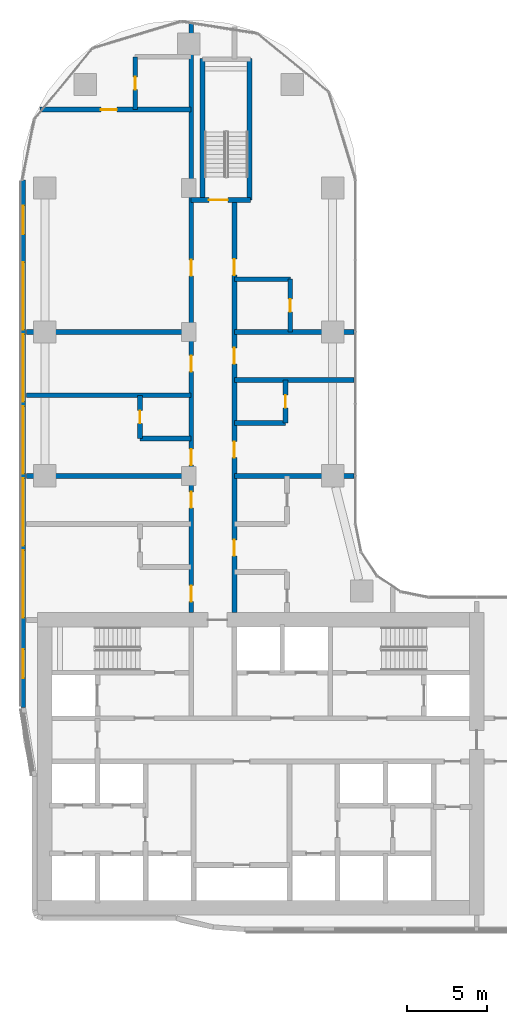
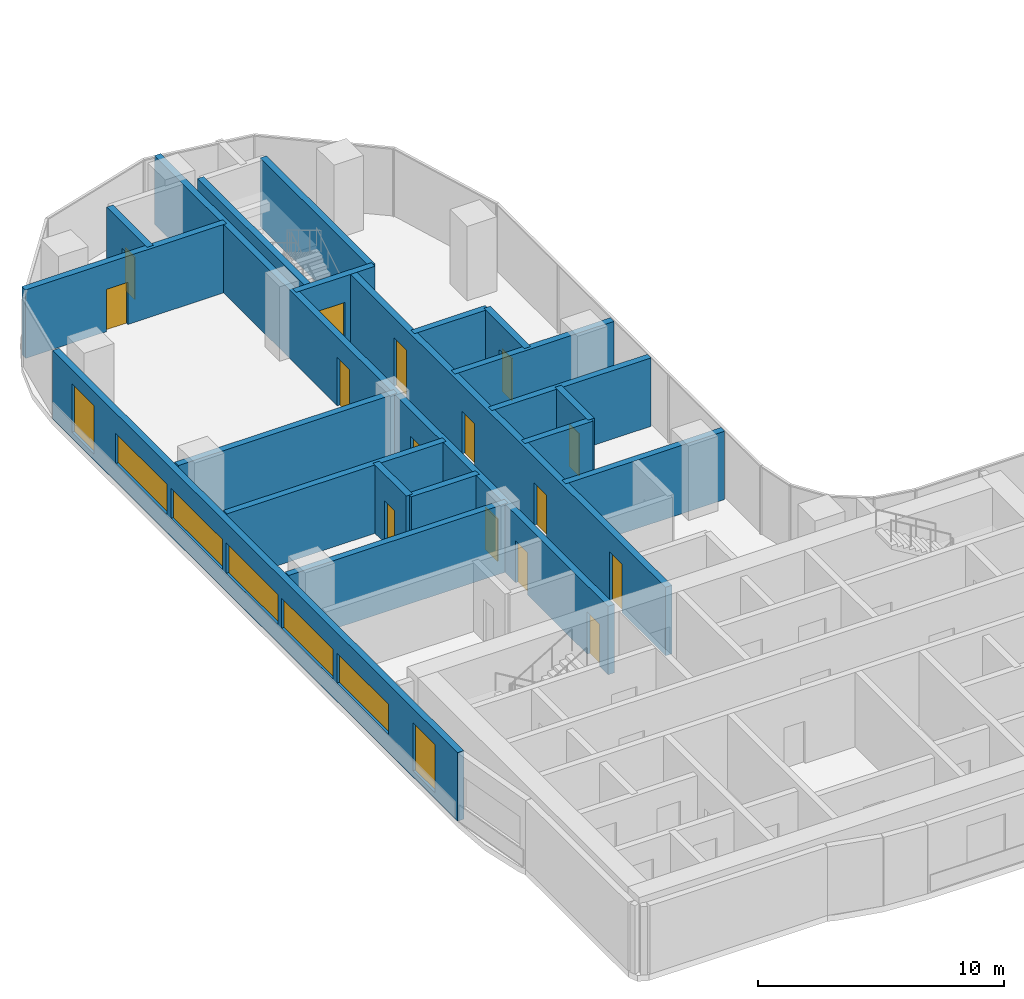
# One storey, part 20 of 33: 20 walls, 15 doors, 7 windows, 22 openings.
"""IFC4 building model written with IfcOpenShell, lengths in metres."""

import ifcopenshell
import ifcopenshell.guid

model = None  # the IFC model being written
_history = None  # IfcOwnerHistory: only IFC2X3 demands one
_inside = {}  # id of a spatial element -> (the spatial element, [elements in it])
_under = {}  # id of a project, library or spatial element -> (it, [spatial elements below it])
_declared = {}  # id of a project -> (the project, [libraries it declares])
_typed = {}  # id of a type object -> (the type object, [elements of that type])
_made_of = {}  # id of a material, layer set ... -> (it, [elements and type objects made of it])


def new_model(schema):
    """Start an empty IFC model of exactly this schema.

    Asked for "IFC4X3", IfcOpenShell would pick the latest addendum, in which some entities
    have other attributes; the version numbers below select the first issue.
    IFC2X3 requires an IfcOwnerHistory on every rooted entity: one is made here for all.
    """
    global model, _history
    if schema == "IFC4X3":
        model = ifcopenshell.file(schema_version=(4, 3, 0, 0))
    else:
        model = ifcopenshell.file(schema=schema)
    _inside.clear()
    _under.clear()
    _declared.clear()
    _typed.clear()
    _made_of.clear()
    _history = None
    if model.schema == "IFC2X3":
        org = make("IfcOrganization", Name="unknown")
        user = make(
            "IfcPersonAndOrganization",
            ThePerson=make("IfcPerson", FamilyName="unknown"),
            TheOrganization=org,
        )
        app = make(
            "IfcApplication",
            ApplicationDeveloper=org,
            Version="unknown",
            ApplicationFullName="unknown",
            ApplicationIdentifier="unknown",
        )
        _history = make(
            "IfcOwnerHistory",
            OwningUser=user,
            OwningApplication=app,
            ChangeAction="ADDED",
            CreationDate=0,
        )
    return model


def make(cls, **values):
    """One entity of the class cls with the attributes given. An attribute that is None is left unset."""
    return model.create_entity(
        cls, **{name: value for name, value in values.items() if value is not None}
    )


def rooted(cls, **values):
    """An entity with a GlobalId (a new one), such as an element, a storey or a relation."""
    return make(cls, GlobalId=ifcopenshell.guid.new(), OwnerHistory=_history, **values)


def si_unit(unit_type, name, prefix=None):
    """IfcSIUnit, for example si_unit("LENGTHUNIT", "METRE", prefix="MILLI")."""
    return make("IfcSIUnit", UnitType=unit_type, Prefix=prefix, Name=name)


def assignment(units):
    """IfcUnitAssignment: the units of a project."""
    return None if units is None else make("IfcUnitAssignment", Units=units)


def point(xyz):
    """IfcCartesianPoint."""
    return None if xyz is None else make("IfcCartesianPoint", Coordinates=xyz)


def direction(xyz):
    """IfcDirection."""
    return None if xyz is None else make("IfcDirection", DirectionRatios=xyz)


def frame(location, z_axis=None, x_axis=None):
    """IfcAxis2Placement3D, a coordinate frame: its origin and axes. An axis left out is left unset."""
    return make(
        "IfcAxis2Placement3D",
        Location=point(location),
        Axis=direction(z_axis),
        RefDirection=direction(x_axis),
    )


def frame_2d(location, x_axis=None):
    """IfcAxis2Placement2D, a coordinate frame in the plane: its origin and x axis."""
    return make(
        "IfcAxis2Placement2D", Location=point(location), RefDirection=direction(x_axis)
    )


def origin():
    """The frame at (0, 0, 0) with its axes left unset."""
    return frame((0.0, 0.0, 0.0))


def place(relative_to, where):
    """IfcLocalPlacement: puts the frame where relative to a parent placement (None: the world)."""
    return make(
        "IfcLocalPlacement", PlacementRelTo=relative_to, RelativePlacement=where
    )


def context(
    kind, dimensions, precision=None, world=None, true_north=None, identifier=None
):
    """IfcGeometricRepresentationContext, for example the 3D "Model" context."""
    return make(
        "IfcGeometricRepresentationContext",
        ContextIdentifier=identifier,
        ContextType=kind,
        CoordinateSpaceDimension=dimensions,
        Precision=precision,
        WorldCoordinateSystem=world,
        TrueNorth=true_north,
    )


def subcontext(parent, identifier, kind, view, scale=None):
    """IfcGeometricRepresentationSubContext, for example "Body" below "Model"."""
    return make(
        "IfcGeometricRepresentationSubContext",
        ContextIdentifier=identifier,
        ContextType=kind,
        ParentContext=parent,
        TargetScale=scale,
        TargetView=view,
    )


def project(units=None, contexts=None):
    """IfcProject with its units and contexts."""
    return rooted(
        "IfcProject",
        Name="project",
        RepresentationContexts=contexts,
        UnitsInContext=assignment(units),
    )


def spatial(cls, under=None, at=None, **own):
    """A site, building, storey or space (cls), placed at a placement, below another one or the project."""
    s = rooted(cls, ObjectPlacement=at, **own)
    if under is not None:
        _under.setdefault(under.id(), (under, []))[1].append(s)
    return s


def profile(cls, at=None, kind="AREA", **sizes):
    """A parametric profile (cls). Its sizes go by their IFC names, for example OverallWidth=200.0."""
    return make(cls, ProfileType=kind, Position=at, **sizes)


def rectangle(**sizes):
    """IfcRectangleProfileDef."""
    return profile("IfcRectangleProfileDef", **sizes)


def extrude(swept, where, along, depth):
    """IfcExtrudedAreaSolid: the profile swept, set in the frame where, extruded along a direction by depth."""
    return make(
        "IfcExtrudedAreaSolid",
        SweptArea=swept,
        Position=where,
        ExtrudedDirection=direction(along),
        Depth=depth,
    )


def shape(context_of_items, identifier, shape_type, items):
    """IfcShapeRepresentation: the items that make up one representation, for example the "Body"."""
    return make(
        "IfcShapeRepresentation",
        ContextOfItems=context_of_items,
        RepresentationIdentifier=identifier,
        RepresentationType=shape_type,
        Items=items,
    )


def material(Name=None, Category=None):
    """IfcMaterial."""
    return make("IfcMaterial", Name=Name, Category=Category)


def layer(
    of_material, thickness, ventilated=None, Name=None, Category=None, Priority=None
):
    """IfcMaterialLayer: one layer of a wall or slab, of a material (None: an air gap)."""
    return make(
        "IfcMaterialLayer",
        Material=of_material,
        LayerThickness=thickness,
        IsVentilated=ventilated,
        Name=Name,
        Category=Category,
        Priority=Priority,
    )


def layer_set(layers, Name=None):
    """IfcMaterialLayerSet."""
    return make("IfcMaterialLayerSet", MaterialLayers=layers, LayerSetName=Name)


def made_of(thing, what):
    """Note that an element or type object is made of a material, layer set ...; save() writes the relation."""
    if what is not None:
        _made_of.setdefault(what.id(), (what, []))[1].append(thing)
    return thing


def type_object(cls, material=None, **own):
    """A type object (cls), such as IfcWallType, which elements share."""
    return made_of(rooted(cls, **own), material)


def element(
    cls,
    number,
    at=None,
    inside=None,
    cuts=None,
    type_object=None,
    material=None,
    context=None,
    identifier="Body",
    shape_type=None,
    held_by="IfcProductDefinitionShape",
    body=None,
    shapes=None,
    **own,
):
    """One element of the class cls, such as IfcWall. Its Tag is "e" and its number.

    at: its placement. inside: the storey or other place that contains it. cuts: it is an
    opening in that element (IfcRelVoidsElement). A single representation is given by context,
    identifier, shape_type and body (its items); several are given by shapes. held_by: the class
    of the entity that holds the representations. save() writes the other relations.
    """
    e = rooted(cls, Tag="e%d" % number, ObjectPlacement=at, **own)
    if body is not None:
        shapes = [shape(context, identifier, shape_type, body)]
    if shapes is not None:
        e.Representation = make(held_by, Representations=shapes)
    if inside is not None:
        _inside.setdefault(inside.id(), (inside, []))[1].append(e)
    if cuts is not None:
        rooted(
            "IfcRelVoidsElement", RelatingBuildingElement=cuts, RelatedOpeningElement=e
        )
    if type_object is not None:
        _typed.setdefault(type_object.id(), (type_object, []))[1].append(e)
    return made_of(e, material)


def fill(opening, filler):
    """IfcRelFillsElement: the door or window that sits in an opening."""
    return rooted(
        "IfcRelFillsElement",
        RelatingOpeningElement=opening,
        RelatedBuildingElement=filler,
    )


def aggregate(whole, parts):
    """IfcRelAggregates: a whole, such as a stair, and the parts it consists of."""
    return rooted("IfcRelAggregates", RelatingObject=whole, RelatedObjects=parts)


def save(model, path):
    """Write the relations noted so far, then the file.

    IfcRelAggregates (storeys below a building ...), IfcRelContainedInSpatialStructure (elements
    in a storey), IfcRelDefinesByType, IfcRelAssociatesMaterial and IfcRelDeclares: one each for
    every whole, place, type object, material and project.
    """
    for whole, parts in _under.values():
        aggregate(whole, parts)
    for where, things in _inside.values():
        rooted(
            "IfcRelContainedInSpatialStructure",
            RelatedElements=things,
            RelatingStructure=where,
        )
    for kind, things in _typed.values():
        rooted("IfcRelDefinesByType", RelatedObjects=things, RelatingType=kind)
    for what, things in _made_of.values():
        rooted("IfcRelAssociatesMaterial", RelatedObjects=things, RelatingMaterial=what)
    for by, libraries in _declared.values():
        rooted("IfcRelDeclares", RelatingContext=by, RelatedDefinitions=libraries)
    model.write(path)


model = new_model("IFC4")

# Units and contexts
model_context = context("Model", 3, precision=1e-05, world=origin(), true_north=direction((0.0, 1.0)))
body_context = subcontext(model_context, "Body", "Model", "MODEL_VIEW")
ifc_project = project(units=[si_unit("LENGTHUNIT", "METRE"), si_unit("AREAUNIT", "SQUARE_METRE"), si_unit("VOLUMEUNIT", "CUBIC_METRE"), si_unit("PLANEANGLEUNIT", "RADIAN"), si_unit("MASSUNIT", "GRAM", prefix="KILO")], contexts=[model_context])

# Site, building, storey
site_placement = place(None, origin())
site = spatial("IfcSite", under=ifc_project, at=site_placement, CompositionType="ELEMENT")
building_placement = place(site_placement, origin())
building = spatial("IfcBuilding", under=site, at=building_placement, Name="Ogive Portal Towers", CompositionType="ELEMENT")
storey_placement = place(building_placement, frame((0.0, 0.0, 77.89990234375)))
storey = spatial("IfcBuildingStorey", under=building, at=storey_placement, Name="L18", CompositionType="ELEMENT", Elevation=77.89990234375)

# Wall, openings, windows
ifc_material_1 = material(Name="Limestone cladding on lightweight block wall", Category="masonry")
ifc_layer_1 = layer(ifc_material_1, 0.300048828125)
ifc_layer_set_1 = layer_set([ifc_layer_1], Name="EXTERNAL WALL 300 STONE")
wall_type_1 = type_object("IfcWallType", Name="EXTERNAL WALL 300 STONE", PredefinedType="SOLIDWALL", material=ifc_layer_set_1)
wall_1_placement = place(storey_placement, frame((30.14990234375, 66.9921875, 0.0), z_axis=(0.0, 0.0, 1.0), x_axis=(0.0, -1.0, 0.0)))
wall_1 = element("IfcWall", 1, at=wall_1_placement, inside=storey, type_object=wall_type_1, Name="A:L18:f24:r0:wall", PredefinedType="SOLIDWALL", context=body_context, shape_type="SweptSolid", body=[
    extrude(rectangle(XDim=32.968017578125, YDim=0.300048828125, at=frame_2d((16.48388671875, 0.0))), origin(), (0.0, 0.0, 1.0), 3.400146484375),
])
opening_1_placement = place(wall_1_placement, frame((1.595947265625, 0.0, 0.300048828125)))
opening_1 = element("IfcOpeningElement", 2, at=opening_1_placement, cuts=wall_1, Name="Opening WN10", PredefinedType="OPENING", context=body_context, shape_type="SweptSolid", body=[
    extrude(rectangle(XDim=1.800048828125, YDim=2.39990234375, at=frame_2d((0.89990234375, 1.199951171875))), frame((0.0, 0.16015625, 0.0), z_axis=(0.0, -1.0, 0.0), x_axis=(1.0, 0.0, 0.0)), (0.0, 0.0, 1.0), 0.320068359375),
])
opening_2_placement = place(wall_1_placement, frame((5.14208984375, 0.0, 0.89990234375)))
opening_2 = element("IfcOpeningElement", 3, at=opening_2_placement, cuts=wall_1, Name="Opening WN11", PredefinedType="OPENING", context=body_context, shape_type="SweptSolid", body=[
    extrude(rectangle(XDim=4.199951171875, YDim=1.5, at=frame_2d((2.10009765625, 0.75))), frame((0.0, 0.16015625, 0.0), z_axis=(0.0, -1.0, 0.0), x_axis=(1.0, 0.0, 0.0)), (0.0, 0.0, 1.0), 0.320068359375),
])
opening_3_placement = place(wall_1_placement, frame((9.64208984375, 0.0, 0.89990234375)))
opening_3 = element("IfcOpeningElement", 4, at=opening_3_placement, cuts=wall_1, Name="Opening WN11", PredefinedType="OPENING", context=body_context, shape_type="SweptSolid", body=[
    extrude(rectangle(XDim=4.199951171875, YDim=1.5, at=frame_2d((2.10009765625, 0.75))), frame((0.0, 0.16015625, 0.0), z_axis=(0.0, -1.0, 0.0), x_axis=(1.0, 0.0, 0.0)), (0.0, 0.0, 1.0), 0.320068359375),
])
opening_4_placement = place(wall_1_placement, frame((14.14208984375, 0.0, 0.89990234375)))
opening_4 = element("IfcOpeningElement", 5, at=opening_4_placement, cuts=wall_1, Name="Opening WN11", PredefinedType="OPENING", context=body_context, shape_type="SweptSolid", body=[
    extrude(rectangle(XDim=4.199951171875, YDim=1.5, at=frame_2d((2.10009765625, 0.75))), frame((0.0, 0.16015625, 0.0), z_axis=(0.0, -1.0, 0.0), x_axis=(1.0, 0.0, 0.0)), (0.0, 0.0, 1.0), 0.320068359375),
])
opening_5_placement = place(wall_1_placement, frame((18.64208984375, 0.0, 0.89990234375)))
opening_5 = element("IfcOpeningElement", 6, at=opening_5_placement, cuts=wall_1, Name="Opening WN11", PredefinedType="OPENING", context=body_context, shape_type="SweptSolid", body=[
    extrude(rectangle(XDim=4.199951171875, YDim=1.5, at=frame_2d((2.10009765625, 0.75))), frame((0.0, 0.16015625, 0.0), z_axis=(0.0, -1.0, 0.0), x_axis=(1.0, 0.0, 0.0)), (0.0, 0.0, 1.0), 0.320068359375),
])
opening_6_placement = place(wall_1_placement, frame((23.14208984375, 0.0, 0.89990234375)))
opening_6 = element("IfcOpeningElement", 7, at=opening_6_placement, cuts=wall_1, Name="Opening WN11", PredefinedType="OPENING", context=body_context, shape_type="SweptSolid", body=[
    extrude(rectangle(XDim=4.199951171875, YDim=1.5, at=frame_2d((2.10009765625, 0.75))), frame((0.0, 0.16015625, 0.0), z_axis=(0.0, -1.0, 0.0), x_axis=(1.0, 0.0, 0.0)), (0.0, 0.0, 1.0), 0.320068359375),
])
opening_7_placement = place(wall_1_placement, frame((29.330078125, 0.0, 0.300048828125)))
opening_7 = element("IfcOpeningElement", 8, at=opening_7_placement, cuts=wall_1, Name="Opening WN10", PredefinedType="OPENING", context=body_context, shape_type="SweptSolid", body=[
    extrude(rectangle(XDim=1.800048828125, YDim=2.39990234375, at=frame_2d((0.89990234375, 1.199951171875))), frame((0.0, 0.16015625, 0.0), z_axis=(0.0, -1.0, 0.0), x_axis=(1.0, 0.0, 0.0)), (0.0, 0.0, 1.0), 0.320068359375),
])
ifc_material_2 = material(Name="Glass, clear low-iron insulated glazing", Category="glass")
window_type_1 = type_object("IfcWindowType", Name="WINDOW RIBBON 4200x1500", PartitioningType="TRIPLE_PANEL_VERTICAL", PredefinedType="WINDOW", material=ifc_material_2)
window_1_placement = place(opening_2_placement, origin())
window_1 = element("IfcWindow", 9, at=window_1_placement, inside=storey, type_object=window_type_1, Name="A:L18:f24:r0:w1", OverallHeight=1.5, OverallWidth=4.199951171875, PartitioningType="SINGLE_PANEL", PredefinedType="WINDOW", context=body_context, shape_type="SweptSolid", body=[
    extrude(rectangle(XDim=4.199951171875, YDim=1.5, at=frame_2d((2.10009765625, 0.75))), frame((0.0, 0.030029296875, 0.0), z_axis=(0.0, -1.0, 0.0), x_axis=(1.0, 0.0, 0.0)), (0.0, 0.0, 1.0), 0.06005859375),
])
fill(opening_2, window_1)
window_2_placement = place(opening_3_placement, origin())
window_2 = element("IfcWindow", 10, at=window_2_placement, inside=storey, type_object=window_type_1, Name="A:L18:f24:r0:w2", OverallHeight=1.5, OverallWidth=4.199951171875, PartitioningType="SINGLE_PANEL", PredefinedType="WINDOW", context=body_context, shape_type="SweptSolid", body=[
    extrude(rectangle(XDim=4.199951171875, YDim=1.5, at=frame_2d((2.10009765625, 0.75))), frame((0.0, 0.030029296875, 0.0), z_axis=(0.0, -1.0, 0.0), x_axis=(1.0, 0.0, 0.0)), (0.0, 0.0, 1.0), 0.06005859375),
])
fill(opening_3, window_2)
window_3_placement = place(opening_4_placement, origin())
window_3 = element("IfcWindow", 11, at=window_3_placement, inside=storey, type_object=window_type_1, Name="A:L18:f24:r0:w3", OverallHeight=1.5, OverallWidth=4.199951171875, PartitioningType="SINGLE_PANEL", PredefinedType="WINDOW", context=body_context, shape_type="SweptSolid", body=[
    extrude(rectangle(XDim=4.199951171875, YDim=1.5, at=frame_2d((2.10009765625, 0.75))), frame((0.0, 0.030029296875, 0.0), z_axis=(0.0, -1.0, 0.0), x_axis=(1.0, 0.0, 0.0)), (0.0, 0.0, 1.0), 0.06005859375),
])
fill(opening_4, window_3)
window_4_placement = place(opening_5_placement, origin())
window_4 = element("IfcWindow", 12, at=window_4_placement, inside=storey, type_object=window_type_1, Name="A:L18:f24:r0:w4", OverallHeight=1.5, OverallWidth=4.199951171875, PartitioningType="SINGLE_PANEL", PredefinedType="WINDOW", context=body_context, shape_type="SweptSolid", body=[
    extrude(rectangle(XDim=4.199951171875, YDim=1.5, at=frame_2d((2.10009765625, 0.75))), frame((0.0, 0.030029296875, 0.0), z_axis=(0.0, -1.0, 0.0), x_axis=(1.0, 0.0, 0.0)), (0.0, 0.0, 1.0), 0.06005859375),
])
fill(opening_5, window_4)
window_5_placement = place(opening_6_placement, origin())
window_5 = element("IfcWindow", 13, at=window_5_placement, inside=storey, type_object=window_type_1, Name="A:L18:f24:r0:w5", OverallHeight=1.5, OverallWidth=4.199951171875, PartitioningType="SINGLE_PANEL", PredefinedType="WINDOW", context=body_context, shape_type="SweptSolid", body=[
    extrude(rectangle(XDim=4.199951171875, YDim=1.5, at=frame_2d((2.10009765625, 0.75))), frame((0.0, 0.030029296875, 0.0), z_axis=(0.0, -1.0, 0.0), x_axis=(1.0, 0.0, 0.0)), (0.0, 0.0, 1.0), 0.06005859375),
])
fill(opening_6, window_5)
window_type_2 = type_object("IfcWindowType", Name="WINDOW SUITE CORNER 1800x2400", PartitioningType="DOUBLE_PANEL_VERTICAL", PredefinedType="WINDOW", material=ifc_material_2)
window_6_placement = place(opening_1_placement, origin())
window_6 = element("IfcWindow", 14, at=window_6_placement, inside=storey, type_object=window_type_2, Name="A:L18:f24:r0:w0", OverallHeight=2.39990234375, OverallWidth=1.800048828125, PartitioningType="SINGLE_PANEL", PredefinedType="WINDOW", context=body_context, shape_type="SweptSolid", body=[
    extrude(rectangle(XDim=1.800048828125, YDim=2.39990234375, at=frame_2d((0.89990234375, 1.199951171875))), frame((0.0, 0.030029296875, 0.0), z_axis=(0.0, -1.0, 0.0), x_axis=(1.0, 0.0, 0.0)), (0.0, 0.0, 1.0), 0.06005859375),
])
fill(opening_1, window_6)
window_7_placement = place(opening_7_placement, origin())
window_7 = element("IfcWindow", 15, at=window_7_placement, inside=storey, type_object=window_type_2, Name="A:L18:f24:r0:w6", OverallHeight=2.39990234375, OverallWidth=1.800048828125, PartitioningType="SINGLE_PANEL", PredefinedType="WINDOW", context=body_context, shape_type="SweptSolid", body=[
    extrude(rectangle(XDim=1.800048828125, YDim=2.39990234375, at=frame_2d((0.89990234375, 1.199951171875))), frame((0.0, 0.030029296875, 0.0), z_axis=(0.0, -1.0, 0.0), x_axis=(1.0, 0.0, 0.0)), (0.0, 0.0, 1.0), 0.06005859375),
])
fill(opening_7, window_7)

# Wall, opening, door
ifc_material_3 = material(Name="Concrete C50/60", Category="concrete")
ifc_layer_2 = layer(ifc_material_3, 0.300048828125)
ifc_layer_set_2 = layer_set([ifc_layer_2], Name="STAIR WALL 300 C50")
wall_type_2 = type_object("IfcWallType", Name="STAIR WALL 300 C50", PredefinedType="SHEAR", material=ifc_layer_set_2)
wall_2_placement = place(storey_placement, frame((40.64990234375, 65.75, 0.0), z_axis=(0.0, 0.0, 1.0), x_axis=(1.0, 0.0, 0.0)))
wall_2 = element("IfcWall", 16, at=wall_2_placement, inside=storey, type_object=wall_type_2, Name="Stair wall ST-A3 L18", PredefinedType="SHEAR", context=body_context, shape_type="SweptSolid", body=[
    extrude(rectangle(XDim=3.7001953125, YDim=0.300048828125, at=frame_2d((1.85009765625, 0.0))), origin(), (0.0, 0.0, 1.0), 3.400146484375),
])
opening_8_placement = place(wall_2_placement, frame((1.10009765625, 0.0, 0.0)))
opening_8 = element("IfcOpeningElement", 17, at=opening_8_placement, cuts=wall_2, Name="Opening D05-065", PredefinedType="OPENING", context=body_context, shape_type="SweptSolid", body=[
    extrude(rectangle(XDim=1.199951171875, YDim=2.10009765625, at=frame_2d((0.60009765625, 1.050048828125))), frame((0.0, 0.16015625, 0.0), z_axis=(0.0, -1.0, 0.0), x_axis=(1.0, 0.0, 0.0)), (0.0, 0.0, 1.0), 0.320068359375),
])
ifc_material_4 = material(Name="Steel fire door", Category="steel")
door_type_1 = type_object("IfcDoorType", Name="DT-STAIR-1200x2100-FD90S", OperationType="SINGLE_SWING_LEFT", PredefinedType="DOOR", material=ifc_material_4)
door_1_placement = place(opening_8_placement, origin())
door_1 = element("IfcDoor", 18, at=door_1_placement, inside=storey, type_object=door_type_1, Name="Door D05-065", OperationType="SINGLE_SWING_RIGHT", OverallHeight=2.10009765625, OverallWidth=1.199951171875, PredefinedType="DOOR", context=body_context, shape_type="SweptSolid", body=[
    extrude(rectangle(XDim=1.199951171875, YDim=2.10009765625, at=frame_2d((0.60009765625, 1.050048828125))), frame((0.0, 0.02490234375, 0.0), z_axis=(0.0, -1.0, 0.0), x_axis=(1.0, 0.0, 0.0)), (0.0, 0.0, 1.0), 0.050048828125),
])
fill(opening_8, door_1)

# Walls
for number, where, z_axis, x_axis, name in (
    (19, (41.35009765625, 65.75, 0.0), (0.0, 0.0, 1.0), (0.0, 1.0, 0.0), "Stair wall ST-A3 L18"),
    (20, (44.300048828125, 65.75, 0.0), (0.0, 0.0, 1.0), (0.0, 1.0, 0.0), "Stair wall ST-A3 L18"),
):
    element("IfcWall", number, at=place(storey_placement, frame(where, z_axis=z_axis, x_axis=x_axis)), inside=storey, type_object=wall_type_2, Name=name, PredefinedType="SHEAR", context=body_context, shape_type="SweptSolid", body=[
        extrude(rectangle(XDim=8.85009765625, YDim=0.300048828125, at=frame_2d((4.425048828125, 0.0))), origin(), (0.0, 0.0, 1.0), 3.400146484375),
    ])
ifc_material_5 = material(Name="Gypsum board partition on steel studs", Category="steel")
ifc_layer_3 = layer(ifc_material_5, 0.300048828125)
ifc_layer_set_3 = layer_set([ifc_layer_3], Name="WT-PART-300-EI 60")
wall_type_3 = type_object("IfcWallType", Name="WT-PART-300-EI 60", PredefinedType="PARTITIONING", material=ifc_layer_set_3)
wall_3_placement = place(storey_placement, frame((30.35009765625, 48.5, 0.0), z_axis=(0.0, 0.0, 1.0), x_axis=(1.0, 0.0, 0.0)))
element("IfcWall", 21, at=wall_3_placement, inside=storey, type_object=wall_type_3, Name="Wall L18:w017", PredefinedType="PARTITIONING", context=body_context, shape_type="SweptSolid", body=[
    extrude(rectangle(XDim=10.2998046875, YDim=0.300048828125, at=frame_2d((5.14990234375, 0.0))), origin(), (0.0, 0.0, 1.0), 3.400146484375),
])
wall_4_placement = place(storey_placement, frame((43.35009765625, 48.5, 0.0), z_axis=(0.0, 0.0, 1.0), x_axis=(1.0, 0.0, 0.0)))
element("IfcWall", 22, at=wall_4_placement, inside=storey, type_object=wall_type_3, Name="Wall L18:w018", PredefinedType="PARTITIONING", context=body_context, shape_type="SweptSolid", body=[
    extrude(rectangle(XDim=7.47998046875, YDim=0.300048828125, at=frame_2d((3.739990234375, 0.0))), origin(), (0.0, 0.0, 1.0), 3.400146484375),
])
for number, where, z_axis, x_axis, name in (
    (23, (37.449951171875, 50.840087890625, 0.0), (0.0, 0.0, 1.0), (1.0, 0.0, 0.0), "Wall L18:w019"),
    (24, (43.35009765625, 51.800048828125, 0.0), (0.0, 0.0, 1.0), (1.0, 0.0, 0.0), "Wall L18:w020"),
):
    element("IfcWall", number, at=place(storey_placement, frame(where, z_axis=z_axis, x_axis=x_axis)), inside=storey, type_object=wall_type_3, Name=name, PredefinedType="PARTITIONING", context=body_context, shape_type="SweptSolid", body=[
        extrude(rectangle(XDim=3.199951171875, YDim=0.300048828125, at=frame_2d((1.60009765625, 0.0))), origin(), (0.0, 0.0, 1.0), 3.400146484375),
    ])
wall_5_placement = place(storey_placement, frame((30.35009765625, 53.5400390625, 0.0), z_axis=(0.0, 0.0, 1.0), x_axis=(1.0, 0.0, 0.0)))
element("IfcWall", 25, at=wall_5_placement, inside=storey, type_object=wall_type_3, Name="Wall L18:w021", PredefinedType="PARTITIONING", context=body_context, shape_type="SweptSolid", body=[
    extrude(rectangle(XDim=10.2998046875, YDim=0.300048828125, at=frame_2d((5.14990234375, 0.0))), origin(), (0.0, 0.0, 1.0), 3.400146484375),
])
wall_6_placement = place(storey_placement, frame((43.35009765625, 54.5, 0.0), z_axis=(0.0, 0.0, 1.0), x_axis=(1.0, 0.0, 0.0)))
element("IfcWall", 26, at=wall_6_placement, inside=storey, type_object=wall_type_3, Name="Wall L18:w022", PredefinedType="PARTITIONING", context=body_context, shape_type="SweptSolid", body=[
    extrude(rectangle(XDim=7.47998046875, YDim=0.300048828125, at=frame_2d((3.739990234375, 0.0))), origin(), (0.0, 0.0, 1.0), 3.400146484375),
])
wall_7_placement = place(storey_placement, frame((30.35009765625, 57.5, 0.0), z_axis=(0.0, 0.0, 1.0), x_axis=(1.0, 0.0, 0.0)))
element("IfcWall", 27, at=wall_7_placement, inside=storey, type_object=wall_type_3, Name="Wall L18:w023", PredefinedType="PARTITIONING", context=body_context, shape_type="SweptSolid", body=[
    extrude(rectangle(XDim=10.2998046875, YDim=0.300048828125, at=frame_2d((5.14990234375, 0.0))), origin(), (0.0, 0.0, 1.0), 3.400146484375),
])
wall_8_placement = place(storey_placement, frame((43.35009765625, 57.5, 0.0), z_axis=(0.0, 0.0, 1.0), x_axis=(1.0, 0.0, 0.0)))
element("IfcWall", 28, at=wall_8_placement, inside=storey, type_object=wall_type_3, Name="Wall L18:w024", PredefinedType="PARTITIONING", context=body_context, shape_type="SweptSolid", body=[
    extrude(rectangle(XDim=7.47998046875, YDim=0.300048828125, at=frame_2d((3.739990234375, 0.0))), origin(), (0.0, 0.0, 1.0), 3.400146484375),
])
wall_9_placement = place(storey_placement, frame((43.35009765625, 60.800048828125, 0.0), z_axis=(0.0, 0.0, 1.0), x_axis=(1.0, 0.0, 0.0)))
element("IfcWall", 29, at=wall_9_placement, inside=storey, type_object=wall_type_3, Name="Wall L18:w025", PredefinedType="PARTITIONING", context=body_context, shape_type="SweptSolid", body=[
    extrude(rectangle(XDim=3.5, YDim=0.300048828125, at=frame_2d((1.75, 0.0))), origin(), (0.0, 0.0, 1.0), 3.400146484375),
])

# Wall, opening, door
wall_10_placement = place(storey_placement, frame((31.19091796875, 71.39990234375, 0.0), z_axis=(0.0, 0.0, 1.0), x_axis=(1.0, 0.0, 0.0)))
wall_10 = element("IfcWall", 30, at=wall_10_placement, inside=storey, type_object=wall_type_3, Name="Wall L18:w027", PredefinedType="PARTITIONING", context=body_context, shape_type="SweptSolid", body=[
    extrude(rectangle(XDim=9.458984375, YDim=0.300048828125, at=frame_2d((4.7294921875, 0.0))), origin(), (0.0, 0.0, 1.0), 3.400146484375),
])
opening_9_placement = place(wall_10_placement, frame((3.80908203125, 0.0, 0.0)))
opening_9 = element("IfcOpeningElement", 31, at=opening_9_placement, cuts=wall_10, Name="Opening D05-059", PredefinedType="OPENING", context=body_context, shape_type="SweptSolid", body=[
    extrude(rectangle(XDim=1.0, YDim=2.10009765625, at=frame_2d((0.5, 1.050048828125))), frame((0.0, 0.16015625, 0.0), z_axis=(0.0, -1.0, 0.0), x_axis=(1.0, 0.0, 0.0)), (0.0, 0.0, 1.0), 0.320068359375),
])
door_type_2 = type_object("IfcDoorType", Name="DT-ENTRY-1000x2100-FD60S", OperationType="SINGLE_SWING_LEFT", PredefinedType="DOOR", material=ifc_material_4)
door_2_placement = place(opening_9_placement, origin())
door_2 = element("IfcDoor", 32, at=door_2_placement, inside=storey, type_object=door_type_2, Name="Door D05-059", OperationType="SINGLE_SWING_LEFT", OverallHeight=2.10009765625, OverallWidth=1.0, PredefinedType="DOOR", context=body_context, shape_type="SweptSolid", body=[
    extrude(rectangle(XDim=1.0, YDim=2.10009765625, at=frame_2d((0.5, 1.050048828125))), frame((0.0, 0.02490234375, 0.0), z_axis=(0.0, -1.0, 0.0), x_axis=(1.0, 0.0, 0.0)), (0.0, 0.0, 1.0), 0.050048828125),
])
fill(opening_9, door_2)

wall_11_placement = place(storey_placement, frame((37.14990234375, 71.39990234375, 0.0), z_axis=(0.0, 0.0, 1.0), x_axis=(0.0, 1.0, 0.0)))
wall_11 = element("IfcWall", 33, at=wall_11_placement, inside=storey, type_object=wall_type_3, Name="Wall L18:w030", PredefinedType="PARTITIONING", context=body_context, shape_type="SweptSolid", body=[
    extrude(rectangle(XDim=3.300048828125, YDim=0.300048828125, at=frame_2d((1.64990234375, 0.0))), origin(), (0.0, 0.0, 1.0), 3.400146484375),
])
opening_10_placement = place(wall_11_placement, frame((1.25, 0.0, 0.0)))
opening_10 = element("IfcOpeningElement", 34, at=opening_10_placement, cuts=wall_11, Name="Opening D05-060", PredefinedType="OPENING", context=body_context, shape_type="SweptSolid", body=[
    extrude(rectangle(XDim=0.800048828125, YDim=2.10009765625, at=frame_2d((0.39990234375, 1.050048828125))), frame((0.0, 0.16015625, 0.0), z_axis=(0.0, -1.0, 0.0), x_axis=(1.0, 0.0, 0.0)), (0.0, 0.0, 1.0), 0.320068359375),
])
door_type_3 = type_object("IfcDoorType", Name="DT-BATH-800x2100-FD60S", OperationType="SINGLE_SWING_LEFT", PredefinedType="DOOR", material=ifc_material_4)
door_3_placement = place(opening_10_placement, origin())
door_3 = element("IfcDoor", 35, at=door_3_placement, inside=storey, type_object=door_type_3, Name="Door D05-060", OperationType="SINGLE_SWING_LEFT", OverallHeight=2.10009765625, OverallWidth=0.800048828125, PredefinedType="DOOR", context=body_context, shape_type="SweptSolid", body=[
    extrude(rectangle(XDim=0.800048828125, YDim=2.10009765625, at=frame_2d((0.39990234375, 1.050048828125))), frame((0.0, 0.02490234375, 0.0), z_axis=(0.0, -1.0, 0.0), x_axis=(1.0, 0.0, 0.0)), (0.0, 0.0, 1.0), 0.050048828125),
])
fill(opening_10, door_3)

wall_12_placement = place(storey_placement, frame((37.449951171875, 50.840087890625, 0.0), z_axis=(0.0, 0.0, 1.0), x_axis=(0.0, 1.0, 0.0)))
wall_12 = element("IfcWall", 36, at=wall_12_placement, inside=storey, type_object=wall_type_3, Name="Wall L18:w032", PredefinedType="PARTITIONING", context=body_context, shape_type="SweptSolid", body=[
    extrude(rectangle(XDim=2.699951171875, YDim=0.300048828125, at=frame_2d((1.35009765625, 0.0))), origin(), (0.0, 0.0, 1.0), 3.400146484375),
])
opening_11_placement = place(wall_12_placement, frame((0.949951171875, 0.0, 0.0)))
opening_11 = element("IfcOpeningElement", 37, at=opening_11_placement, cuts=wall_12, Name="Opening D05-053", PredefinedType="OPENING", context=body_context, shape_type="SweptSolid", body=[
    extrude(rectangle(XDim=0.800048828125, YDim=2.10009765625, at=frame_2d((0.39990234375, 1.050048828125))), frame((0.0, 0.16015625, 0.0), z_axis=(0.0, -1.0, 0.0), x_axis=(1.0, 0.0, 0.0)), (0.0, 0.0, 1.0), 0.320068359375),
])
door_4_placement = place(opening_11_placement, origin())
door_4 = element("IfcDoor", 38, at=door_4_placement, inside=storey, type_object=door_type_3, Name="Door D05-053", OperationType="SINGLE_SWING_LEFT", OverallHeight=2.10009765625, OverallWidth=0.800048828125, PredefinedType="DOOR", context=body_context, shape_type="SweptSolid", body=[
    extrude(rectangle(XDim=0.800048828125, YDim=2.10009765625, at=frame_2d((0.39990234375, 1.050048828125))), frame((0.0, 0.02490234375, 0.0), z_axis=(0.0, -1.0, 0.0), x_axis=(1.0, 0.0, 0.0)), (0.0, 0.0, 1.0), 0.050048828125),
])
fill(opening_11, door_4)

# Wall, openings, doors
wall_13_placement = place(storey_placement, frame((40.64990234375, 39.949951171875, 0.0), z_axis=(0.0, 0.0, 1.0), x_axis=(0.0, 1.0, 0.0)))
wall_13 = element("IfcWall", 39, at=wall_13_placement, inside=storey, type_object=wall_type_3, Name="Wall L18:w033", PredefinedType="PARTITIONING", context=body_context, shape_type="SweptSolid", body=[
    extrude(rectangle(XDim=36.93994140625, YDim=0.300048828125, at=frame_2d((18.469970703125, 0.0))), origin(), (0.0, 0.0, 1.0), 3.400146484375),
])
opening_12_placement = place(wall_13_placement, frame((0.699951171875, 0.0, 0.0)))
opening_12 = element("IfcOpeningElement", 40, at=opening_12_placement, cuts=wall_13, Name="Opening D05-048", PredefinedType="OPENING", context=body_context, shape_type="SweptSolid", body=[
    extrude(rectangle(XDim=1.0, YDim=2.10009765625, at=frame_2d((0.5, 1.050048828125))), frame((0.0, 0.16015625, 0.0), z_axis=(0.0, -1.0, 0.0), x_axis=(1.0, 0.0, 0.0)), (0.0, 0.0, 1.0), 0.320068359375),
])
opening_13_placement = place(wall_13_placement, frame((6.550048828125, 0.0, 0.0)))
opening_13 = element("IfcOpeningElement", 41, at=opening_13_placement, cuts=wall_13, Name="Opening D05-049", PredefinedType="OPENING", context=body_context, shape_type="SweptSolid", body=[
    extrude(rectangle(XDim=1.0, YDim=2.10009765625, at=frame_2d((0.5, 1.050048828125))), frame((0.0, 0.16015625, 0.0), z_axis=(0.0, -1.0, 0.0), x_axis=(1.0, 0.0, 0.0)), (0.0, 0.0, 1.0), 0.320068359375),
])
opening_14_placement = place(wall_13_placement, frame((9.219970703125, 0.0, 0.0)))
opening_14 = element("IfcOpeningElement", 42, at=opening_14_placement, cuts=wall_13, Name="Opening D05-054", PredefinedType="OPENING", context=body_context, shape_type="SweptSolid", body=[
    extrude(rectangle(XDim=1.0, YDim=2.10009765625, at=frame_2d((0.5, 1.050048828125))), frame((0.0, 0.16015625, 0.0), z_axis=(0.0, -1.0, 0.0), x_axis=(1.0, 0.0, 0.0)), (0.0, 0.0, 1.0), 0.320068359375),
])
opening_15_placement = place(wall_13_placement, frame((15.070068359375, 0.0, 0.0)))
opening_15 = element("IfcOpeningElement", 43, at=opening_15_placement, cuts=wall_13, Name="Opening D05-055", PredefinedType="OPENING", context=body_context, shape_type="SweptSolid", body=[
    extrude(rectangle(XDim=1.0, YDim=2.10009765625, at=frame_2d((0.5, 1.050048828125))), frame((0.0, 0.16015625, 0.0), z_axis=(0.0, -1.0, 0.0), x_axis=(1.0, 0.0, 0.0)), (0.0, 0.0, 1.0), 0.320068359375),
])
opening_16_placement = place(wall_13_placement, frame((21.050048828125, 0.0, 0.0)))
opening_16 = element("IfcOpeningElement", 44, at=opening_16_placement, cuts=wall_13, Name="Opening D05-058", PredefinedType="OPENING", context=body_context, shape_type="SweptSolid", body=[
    extrude(rectangle(XDim=1.0, YDim=2.39990234375, at=frame_2d((0.5, 1.199951171875))), frame((0.0, 0.16015625, 0.0), z_axis=(0.0, -1.0, 0.0), x_axis=(1.0, 0.0, 0.0)), (0.0, 0.0, 1.0), 0.320068359375),
])
door_5_placement = place(opening_12_placement, origin())
door_5 = element("IfcDoor", 45, at=door_5_placement, inside=storey, type_object=door_type_2, Name="Door D05-048", OperationType="SINGLE_SWING_LEFT", OverallHeight=2.10009765625, OverallWidth=1.0, PredefinedType="DOOR", context=body_context, shape_type="SweptSolid", body=[
    extrude(rectangle(XDim=1.0, YDim=2.10009765625, at=frame_2d((0.5, 1.050048828125))), frame((0.0, 0.02490234375, 0.0), z_axis=(0.0, -1.0, 0.0), x_axis=(1.0, 0.0, 0.0)), (0.0, 0.0, 1.0), 0.050048828125),
])
fill(opening_12, door_5)
door_6_placement = place(opening_13_placement, origin())
door_6 = element("IfcDoor", 46, at=door_6_placement, inside=storey, type_object=door_type_2, Name="Door D05-049", OperationType="SINGLE_SWING_RIGHT", OverallHeight=2.10009765625, OverallWidth=1.0, PredefinedType="DOOR", context=body_context, shape_type="SweptSolid", body=[
    extrude(rectangle(XDim=1.0, YDim=2.10009765625, at=frame_2d((0.5, 1.050048828125))), frame((0.0, 0.02490234375, 0.0), z_axis=(0.0, -1.0, 0.0), x_axis=(1.0, 0.0, 0.0)), (0.0, 0.0, 1.0), 0.050048828125),
])
fill(opening_13, door_6)
door_7_placement = place(opening_14_placement, origin())
door_7 = element("IfcDoor", 47, at=door_7_placement, inside=storey, type_object=door_type_2, Name="Door D05-054", OperationType="SINGLE_SWING_LEFT", OverallHeight=2.10009765625, OverallWidth=1.0, PredefinedType="DOOR", context=body_context, shape_type="SweptSolid", body=[
    extrude(rectangle(XDim=1.0, YDim=2.10009765625, at=frame_2d((0.5, 1.050048828125))), frame((0.0, 0.02490234375, 0.0), z_axis=(0.0, -1.0, 0.0), x_axis=(1.0, 0.0, 0.0)), (0.0, 0.0, 1.0), 0.050048828125),
])
fill(opening_14, door_7)
door_8_placement = place(opening_15_placement, origin())
door_8 = element("IfcDoor", 48, at=door_8_placement, inside=storey, type_object=door_type_2, Name="Door D05-055", OperationType="SINGLE_SWING_RIGHT", OverallHeight=2.10009765625, OverallWidth=1.0, PredefinedType="DOOR", context=body_context, shape_type="SweptSolid", body=[
    extrude(rectangle(XDim=1.0, YDim=2.10009765625, at=frame_2d((0.5, 1.050048828125))), frame((0.0, 0.02490234375, 0.0), z_axis=(0.0, -1.0, 0.0), x_axis=(1.0, 0.0, 0.0)), (0.0, 0.0, 1.0), 0.050048828125),
])
fill(opening_15, door_8)
door_type_4 = type_object("IfcDoorType", Name="DT-ENTRY-1000x2400-FD60S", OperationType="SINGLE_SWING_LEFT", PredefinedType="DOOR", material=ifc_material_4)
door_9_placement = place(opening_16_placement, origin())
door_9 = element("IfcDoor", 49, at=door_9_placement, inside=storey, type_object=door_type_4, Name="Door D05-058", OperationType="SINGLE_SWING_RIGHT", OverallHeight=2.39990234375, OverallWidth=1.0, PredefinedType="DOOR", context=body_context, shape_type="SweptSolid", body=[
    extrude(rectangle(XDim=1.0, YDim=2.39990234375, at=frame_2d((0.5, 1.199951171875))), frame((0.0, 0.02490234375, 0.0), z_axis=(0.0, -1.0, 0.0), x_axis=(1.0, 0.0, 0.0)), (0.0, 0.0, 1.0), 0.050048828125),
])
fill(opening_16, door_9)

# Wall, opening, door
wall_14_placement = place(storey_placement, frame((46.550048828125, 51.800048828125, 0.0), z_axis=(0.0, 0.0, 1.0), x_axis=(0.0, 1.0, 0.0)))
wall_14 = element("IfcWall", 50, at=wall_14_placement, inside=storey, type_object=wall_type_3, Name="Wall L18:w038", PredefinedType="PARTITIONING", context=body_context, shape_type="SweptSolid", body=[
    extrude(rectangle(XDim=2.699951171875, YDim=0.300048828125, at=frame_2d((1.35009765625, 0.0))), origin(), (0.0, 0.0, 1.0), 3.400146484375),
])
opening_17_placement = place(wall_14_placement, frame((0.949951171875, 0.0, 0.0)))
opening_17 = element("IfcOpeningElement", 51, at=opening_17_placement, cuts=wall_14, Name="Opening D05-050", PredefinedType="OPENING", context=body_context, shape_type="SweptSolid", body=[
    extrude(rectangle(XDim=0.800048828125, YDim=2.10009765625, at=frame_2d((0.39990234375, 1.050048828125))), frame((0.0, 0.16015625, 0.0), z_axis=(0.0, -1.0, 0.0), x_axis=(1.0, 0.0, 0.0)), (0.0, 0.0, 1.0), 0.320068359375),
])
door_10_placement = place(opening_17_placement, origin())
door_10 = element("IfcDoor", 52, at=door_10_placement, inside=storey, type_object=door_type_3, Name="Door D05-050", OperationType="SINGLE_SWING_LEFT", OverallHeight=2.10009765625, OverallWidth=0.800048828125, PredefinedType="DOOR", context=body_context, shape_type="SweptSolid", body=[
    extrude(rectangle(XDim=0.800048828125, YDim=2.10009765625, at=frame_2d((0.39990234375, 1.050048828125))), frame((0.0, 0.02490234375, 0.0), z_axis=(0.0, -1.0, 0.0), x_axis=(1.0, 0.0, 0.0)), (0.0, 0.0, 1.0), 0.050048828125),
])
fill(opening_17, door_10)

wall_15_placement = place(storey_placement, frame((46.85009765625, 57.5, 0.0), z_axis=(0.0, 0.0, 1.0), x_axis=(0.0, 1.0, 0.0)))
wall_15 = element("IfcWall", 53, at=wall_15_placement, inside=storey, type_object=wall_type_3, Name="Wall L18:w041", PredefinedType="PARTITIONING", context=body_context, shape_type="SweptSolid", body=[
    extrude(rectangle(XDim=3.300048828125, YDim=0.300048828125, at=frame_2d((1.64990234375, 0.0))), origin(), (0.0, 0.0, 1.0), 3.400146484375),
])
opening_18_placement = place(wall_15_placement, frame((1.25, 0.0, 0.0)))
opening_18 = element("IfcOpeningElement", 54, at=opening_18_placement, cuts=wall_15, Name="Opening D05-056", PredefinedType="OPENING", context=body_context, shape_type="SweptSolid", body=[
    extrude(rectangle(XDim=0.800048828125, YDim=2.10009765625, at=frame_2d((0.39990234375, 1.050048828125))), frame((0.0, 0.16015625, 0.0), z_axis=(0.0, -1.0, 0.0), x_axis=(1.0, 0.0, 0.0)), (0.0, 0.0, 1.0), 0.320068359375),
])
door_11_placement = place(opening_18_placement, origin())
door_11 = element("IfcDoor", 55, at=door_11_placement, inside=storey, type_object=door_type_3, Name="Door D05-056", OperationType="SINGLE_SWING_LEFT", OverallHeight=2.10009765625, OverallWidth=0.800048828125, PredefinedType="DOOR", context=body_context, shape_type="SweptSolid", body=[
    extrude(rectangle(XDim=0.800048828125, YDim=2.10009765625, at=frame_2d((0.39990234375, 1.050048828125))), frame((0.0, 0.02490234375, 0.0), z_axis=(0.0, -1.0, 0.0), x_axis=(1.0, 0.0, 0.0)), (0.0, 0.0, 1.0), 0.050048828125),
])
fill(opening_18, door_11)

# Wall, openings, doors
ifc_material_6 = material(Name="Concrete C40/50", Category="concrete")
ifc_layer_4 = layer(ifc_material_6, 0.300048828125)
ifc_layer_set_4 = layer_set([ifc_layer_4], Name="WT-SHAFT-300")
wall_type_4 = type_object("IfcWallType", Name="WT-SHAFT-300", PredefinedType="SOLIDWALL", material=ifc_layer_set_4)
wall_16_placement = place(storey_placement, frame((43.35009765625, 39.949951171875, 0.0), z_axis=(0.0, 0.0, 1.0), x_axis=(0.0, 1.0, 0.0)))
wall_16 = element("IfcWall", 56, at=wall_16_placement, inside=storey, type_object=wall_type_4, Name="Wall L18:w035", PredefinedType="SOLIDWALL", context=body_context, shape_type="SweptSolid", body=[
    extrude(rectangle(XDim=25.85009765625, YDim=0.300048828125, at=frame_2d((12.925048828125, 0.0))), origin(), (0.0, 0.0, 1.0), 3.400146484375),
])
opening_19_placement = place(wall_16_placement, frame((3.550048828125, 0.0, 0.0)))
opening_19 = element("IfcOpeningElement", 57, at=opening_19_placement, cuts=wall_16, Name="Opening D05-046", PredefinedType="OPENING", context=body_context, shape_type="SweptSolid", body=[
    extrude(rectangle(XDim=1.0, YDim=2.39990234375, at=frame_2d((0.5, 1.199951171875))), frame((0.0, 0.16015625, 0.0), z_axis=(0.0, -1.0, 0.0), x_axis=(1.0, 0.0, 0.0)), (0.0, 0.0, 1.0), 0.320068359375),
])
opening_20_placement = place(wall_16_placement, frame((9.699951171875, 0.0, 0.0)))
opening_20 = element("IfcOpeningElement", 58, at=opening_20_placement, cuts=wall_16, Name="Opening D05-051", PredefinedType="OPENING", context=body_context, shape_type="SweptSolid", body=[
    extrude(rectangle(XDim=1.0, YDim=2.10009765625, at=frame_2d((0.5, 1.050048828125))), frame((0.0, 0.16015625, 0.0), z_axis=(0.0, -1.0, 0.0), x_axis=(1.0, 0.0, 0.0)), (0.0, 0.0, 1.0), 0.320068359375),
])
opening_21_placement = place(wall_16_placement, frame((15.550048828125, 0.0, 0.0)))
opening_21 = element("IfcOpeningElement", 59, at=opening_21_placement, cuts=wall_16, Name="Opening D05-052", PredefinedType="OPENING", context=body_context, shape_type="SweptSolid", body=[
    extrude(rectangle(XDim=1.0, YDim=2.10009765625, at=frame_2d((0.5, 1.050048828125))), frame((0.0, 0.16015625, 0.0), z_axis=(0.0, -1.0, 0.0), x_axis=(1.0, 0.0, 0.0)), (0.0, 0.0, 1.0), 0.320068359375),
])
opening_22_placement = place(wall_16_placement, frame((21.10009765625, 0.0, 0.0)))
opening_22 = element("IfcOpeningElement", 60, at=opening_22_placement, cuts=wall_16, Name="Opening D05-057", PredefinedType="OPENING", context=body_context, shape_type="SweptSolid", body=[
    extrude(rectangle(XDim=1.0, YDim=2.39990234375, at=frame_2d((0.5, 1.199951171875))), frame((0.0, 0.16015625, 0.0), z_axis=(0.0, -1.0, 0.0), x_axis=(1.0, 0.0, 0.0)), (0.0, 0.0, 1.0), 0.320068359375),
])
door_type_5 = type_object("IfcDoorType", Name="DT-ENTRY-1000x2100-FD90S", OperationType="SINGLE_SWING_LEFT", PredefinedType="DOOR", material=ifc_material_4)
door_12_placement = place(opening_20_placement, origin())
door_12 = element("IfcDoor", 61, at=door_12_placement, inside=storey, type_object=door_type_5, Name="Door D05-051", OperationType="SINGLE_SWING_LEFT", OverallHeight=2.10009765625, OverallWidth=1.0, PredefinedType="DOOR", context=body_context, shape_type="SweptSolid", body=[
    extrude(rectangle(XDim=1.0, YDim=2.10009765625, at=frame_2d((0.5, 1.050048828125))), frame((0.0, 0.02490234375, 0.0), z_axis=(0.0, -1.0, 0.0), x_axis=(1.0, 0.0, 0.0)), (0.0, 0.0, 1.0), 0.050048828125),
])
fill(opening_20, door_12)
door_13_placement = place(opening_21_placement, origin())
door_13 = element("IfcDoor", 62, at=door_13_placement, inside=storey, type_object=door_type_5, Name="Door D05-052", OperationType="SINGLE_SWING_RIGHT", OverallHeight=2.10009765625, OverallWidth=1.0, PredefinedType="DOOR", context=body_context, shape_type="SweptSolid", body=[
    extrude(rectangle(XDim=1.0, YDim=2.10009765625, at=frame_2d((0.5, 1.050048828125))), frame((0.0, 0.02490234375, 0.0), z_axis=(0.0, -1.0, 0.0), x_axis=(1.0, 0.0, 0.0)), (0.0, 0.0, 1.0), 0.050048828125),
])
fill(opening_21, door_13)
door_type_6 = type_object("IfcDoorType", Name="DT-ENTRY-1000x2400-FD90S", OperationType="SINGLE_SWING_LEFT", PredefinedType="DOOR", material=ifc_material_4)
door_14_placement = place(opening_19_placement, origin())
door_14 = element("IfcDoor", 63, at=door_14_placement, inside=storey, type_object=door_type_6, Name="Door D05-046", OperationType="SINGLE_SWING_LEFT", OverallHeight=2.39990234375, OverallWidth=1.0, PredefinedType="DOOR", context=body_context, shape_type="SweptSolid", body=[
    extrude(rectangle(XDim=1.0, YDim=2.39990234375, at=frame_2d((0.5, 1.199951171875))), frame((0.0, 0.02490234375, 0.0), z_axis=(0.0, -1.0, 0.0), x_axis=(1.0, 0.0, 0.0)), (0.0, 0.0, 1.0), 0.050048828125),
])
fill(opening_19, door_14)
door_15_placement = place(opening_22_placement, origin())
door_15 = element("IfcDoor", 64, at=door_15_placement, inside=storey, type_object=door_type_6, Name="Door D05-057", OperationType="SINGLE_SWING_LEFT", OverallHeight=2.39990234375, OverallWidth=1.0, PredefinedType="DOOR", context=body_context, shape_type="SweptSolid", body=[
    extrude(rectangle(XDim=1.0, YDim=2.39990234375, at=frame_2d((0.5, 1.199951171875))), frame((0.0, 0.02490234375, 0.0), z_axis=(0.0, -1.0, 0.0), x_axis=(1.0, 0.0, 0.0)), (0.0, 0.0, 1.0), 0.050048828125),
])
fill(opening_22, door_15)

save(model, "model.ifc")
